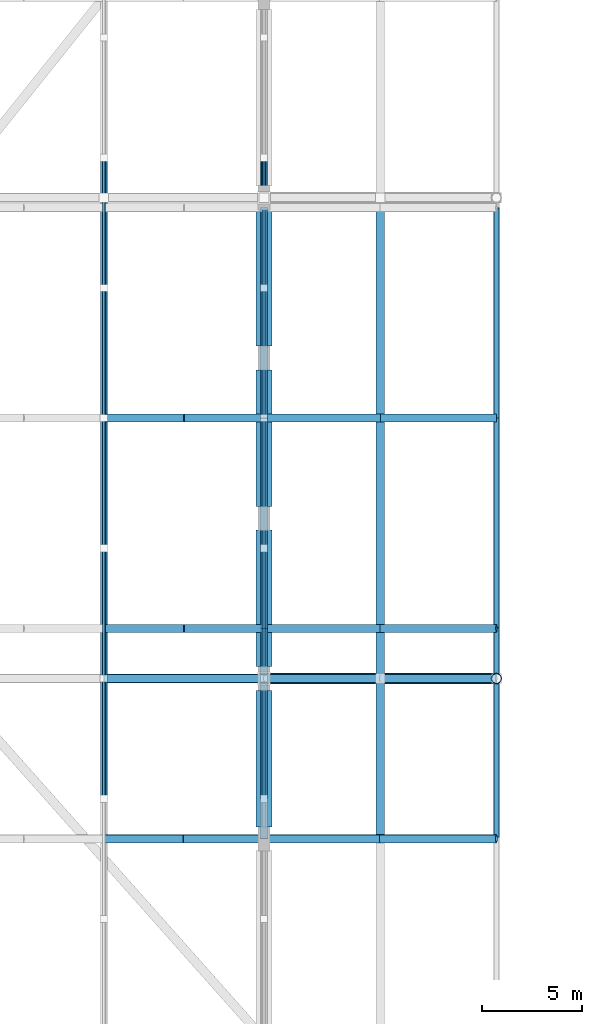
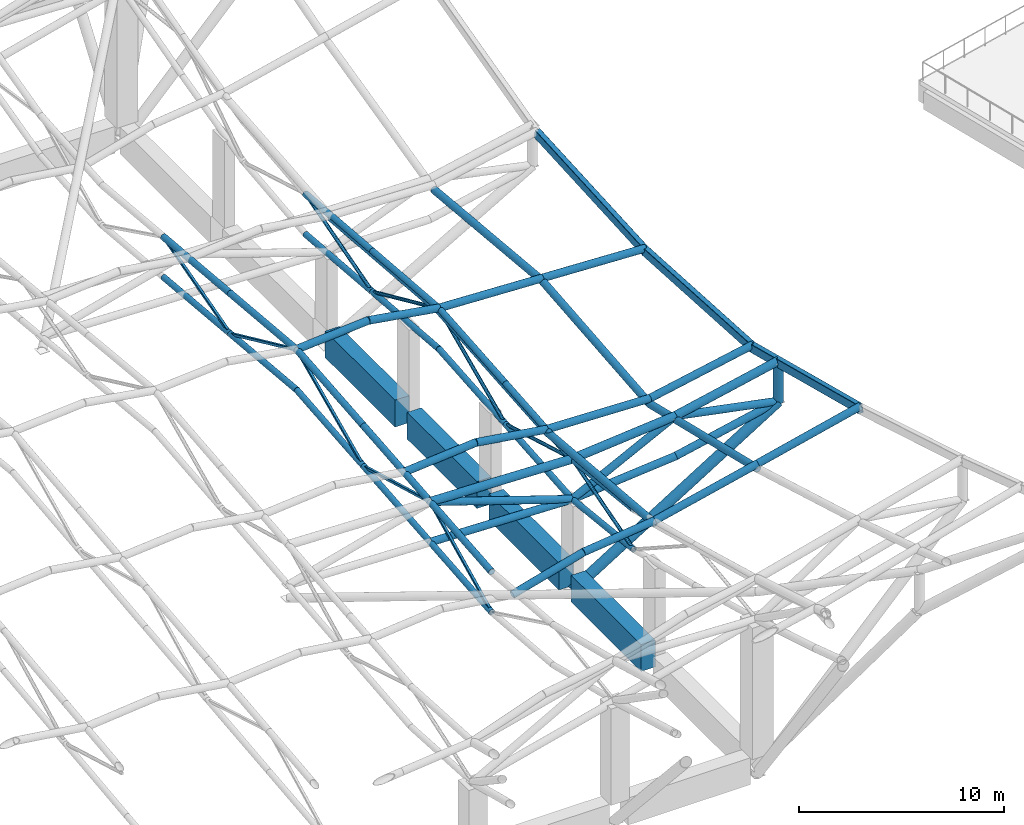
# One storey, part 25 of 75: 59 members, 7 beams.
"""IFC4 building model written with IfcOpenShell, lengths in metres."""

from ifc_helpers import new_model, si_unit, direction, frame, origin, origin_2d, place, context, subcontext, project, spatial, rectangle, hollow_rectangle, hollow_circle, extrude, material, material_profile, profile_set, type_object, element, save


model = new_model("IFC4")

# Units and contexts
model_context = context("Model", 3, precision=1e-05, world=origin(), true_north=direction((0.0, 1.0)))
body_context = subcontext(model_context, "Body", "Model", "MODEL_VIEW")
ifc_project = project(units=[si_unit("LENGTHUNIT", "METRE"), si_unit("AREAUNIT", "SQUARE_METRE"), si_unit("VOLUMEUNIT", "CUBIC_METRE"), si_unit("PLANEANGLEUNIT", "RADIAN"), si_unit("MASSUNIT", "GRAM", prefix="KILO")], contexts=[model_context])

# Site, building, storey
site_placement = place(None, origin())
site = spatial("IfcSite", under=ifc_project, at=site_placement, CompositionType="ELEMENT")
building_placement = place(site_placement, origin())
building = spatial("IfcBuilding", under=site, at=building_placement, Name="Khorjan Park Terminus", CompositionType="ELEMENT")
storey_placement = place(building_placement, frame((0.0, 0.0, 16.2)))
storey = spatial("IfcBuildingStorey", under=building, at=storey_placement, Name="L03", CompositionType="ELEMENT", Elevation=16.2)

# Members
ifc_material_1 = material(Name="Steel S355", Category="steel")
ifc_material_profile_1 = material_profile(ifc_material_1, hollow_circle(Radius=0.0969, WallThickness=0.01, at=origin_2d()), Name="CHS 193.7x10")
ifc_profile_set_1 = profile_set([ifc_material_profile_1], Name="Steel S355")
member_type_1 = type_object("IfcMemberType", Name="MB-BR-194", PredefinedType="BRACE", material=ifc_profile_set_1)
member_1_placement = place(storey_placement, frame((136.0, 38.0, 4.6833), z_axis=(0.0, 0.959849356938, 0.280515974565), x_axis=(-1.0, 0.0, 0.0)))
element("IfcMember", 1, at=member_1_placement, inside=storey, type_object=member_type_1, Name="Upper shell fold space-truss web diagonal (12)", PredefinedType="BRACE", context=body_context, shape_type="SweptSolid", body=[
    extrude(hollow_circle(Radius=0.0969, WallThickness=0.01, at=origin_2d()), origin(), (0.0, 0.0, 1.0), 6.251),
])
member_2_placement = place(storey_placement, frame((136.0, 44.0, 6.4368), z_axis=(0.0, 0.961047706575, -0.276382535062), x_axis=(-1.0, 0.0, 0.0)))
element("IfcMember", 2, at=member_2_placement, inside=storey, type_object=member_type_1, Name="Upper shell fold space-truss web diagonal (12)", PredefinedType="BRACE", context=body_context, shape_type="SweptSolid", body=[
    extrude(hollow_circle(Radius=0.0969, WallThickness=0.01, at=origin_2d()), origin(), (0.0, 0.0, 1.0), 6.7635),
])
for number, where, z_axis, x_axis, name in (
    (3, (136.0, 50.5, 4.5675), (0.0, 0.91162210268, 0.411029368665), (-1.0, 0.0, 0.0), "Upper shell fold space-truss web diagonal (12)"),
    (4, (136.0, 57.0, 7.4982), (0.0, 0.91162210268, -0.411029368665), (-1.0, 0.0, 0.0), "Upper shell fold space-truss web diagonal (12)"),
):
    element("IfcMember", number, at=place(storey_placement, frame(where, z_axis=z_axis, x_axis=x_axis)), inside=storey, type_object=member_type_1, Name=name, PredefinedType="BRACE", context=body_context, shape_type="SweptSolid", body=[
        extrude(hollow_circle(Radius=0.0969, WallThickness=0.01, at=origin_2d()), origin(), (0.0, 0.0, 1.0), 7.1301),
    ])
member_3_placement = place(storey_placement, frame((136.0, 63.5, 4.5675), z_axis=(0.0, 0.961047706575, 0.276382535062), x_axis=(-1.0, 0.0, 0.0)))
element("IfcMember", 5, at=member_3_placement, inside=storey, type_object=member_type_1, Name="Upper shell fold space-truss web diagonal (12)", PredefinedType="BRACE", context=body_context, shape_type="SweptSolid", body=[
    extrude(hollow_circle(Radius=0.0969, WallThickness=0.01, at=origin_2d()), origin(), (0.0, 0.0, 1.0), 6.7635),
])
ifc_material_profile_2 = material_profile(ifc_material_1, hollow_rectangle(XDim=0.15, YDim=0.15, WallThickness=0.01, InnerFilletRadius=0.01, OuterFilletRadius=0.02, at=origin_2d()), Name="SHS 150x150x10")
ifc_profile_set_2 = profile_set([ifc_material_profile_2], Name="Steel S355")
member_type_2 = type_object("IfcMemberType", Name="MB-BR-SHS150", PredefinedType="BRACE", material=ifc_profile_set_2)
member_4_placement = place(storey_placement, frame((128.0, 38.0, 3.7405), z_axis=(0.0, 0.898043521521, 0.439906619017), x_axis=(-1.0, 0.0, 0.0)))
element("IfcMember", 6, at=member_4_placement, inside=storey, type_object=member_type_2, Name="Upper shell fold space-truss web diagonal (11)", PredefinedType="BRACE", context=body_context, shape_type="SweptSolid", body=[
    extrude(hollow_rectangle(XDim=0.15, YDim=0.15, WallThickness=0.01, InnerFilletRadius=0.01, OuterFilletRadius=0.02, at=origin_2d()), origin(), (0.0, 0.0, 1.0), 6.6812),
])
member_5_placement = place(storey_placement, frame((128.0, 44.0, 6.6796), z_axis=(0.0, 0.96311775067, -0.269080282341), x_axis=(-1.0, 0.0, 0.0)))
element("IfcMember", 7, at=member_5_placement, inside=storey, type_object=member_type_2, Name="Upper shell fold space-truss web diagonal (11)", PredefinedType="BRACE", context=body_context, shape_type="SweptSolid", body=[
    extrude(hollow_rectangle(XDim=0.15, YDim=0.15, WallThickness=0.01, InnerFilletRadius=0.01, OuterFilletRadius=0.02, at=origin_2d()), origin(), (0.0, 0.0, 1.0), 6.7489),
])
for number, where, z_axis, x_axis, name in (
    (8, (128.0, 50.5, 4.8636), (0.0, 0.908808688461, 0.417213096364), (-1.0, 0.0, 0.0), "Upper shell fold space-truss web diagonal (11)"),
    (9, (128.0, 57.0, 7.8476), (0.0, 0.908808688461, -0.417213096364), (-1.0, 0.0, 0.0), "Upper shell fold space-truss web diagonal (11)"),
):
    element("IfcMember", number, at=place(storey_placement, frame(where, z_axis=z_axis, x_axis=x_axis)), inside=storey, type_object=member_type_2, Name=name, PredefinedType="BRACE", context=body_context, shape_type="SweptSolid", body=[
        extrude(hollow_rectangle(XDim=0.15, YDim=0.15, WallThickness=0.01, InnerFilletRadius=0.01, OuterFilletRadius=0.02, at=origin_2d()), origin(), (0.0, 0.0, 1.0), 7.1522),
    ])
member_6_placement = place(storey_placement, frame((128.0, 63.5, 4.8636), z_axis=(0.0, 0.96311775067, 0.269080282341), x_axis=(-1.0, 0.0, 0.0)))
element("IfcMember", 10, at=member_6_placement, inside=storey, type_object=member_type_2, Name="Upper shell fold space-truss web diagonal (11)", PredefinedType="BRACE", context=body_context, shape_type="SweptSolid", body=[
    extrude(hollow_rectangle(XDim=0.15, YDim=0.15, WallThickness=0.01, InnerFilletRadius=0.01, OuterFilletRadius=0.02, at=origin_2d()), origin(), (0.0, 0.0, 1.0), 6.7489),
])
ifc_material_profile_3 = material_profile(ifc_material_1, hollow_circle(Radius=0.162, WallThickness=0.0125, at=origin_2d()), Name="CHS 323.9x12.5")
ifc_profile_set_3 = profile_set([ifc_material_profile_3], Name="Steel S355")
member_type_3 = type_object("IfcMemberType", Name="MB-CH-324", PredefinedType="CHORD", material=ifc_profile_set_3)
member_7_placement = place(storey_placement, frame((128.0, 38.0, 3.7405), z_axis=(0.0, 0.995987765616, 0.089489500741), x_axis=(-1.0, 0.0, 0.0)))
element("IfcMember", 11, at=member_7_placement, inside=storey, type_object=member_type_3, Name="Upper shell fold space-truss bottom chord (11)", PredefinedType="CHORD", context=body_context, shape_type="SweptSolid", body=[
    extrude(hollow_circle(Radius=0.162, WallThickness=0.0125, at=origin_2d()), origin(), (0.0, 0.0, 1.0), 6.0242),
])
for number, where, z_axis, x_axis, name in (
    (12, (128.0, 44.0, 4.2796), (0.0, 0.995988107043, 0.089485700694), (-1.0, 0.0, 0.0), "Upper shell fold space-truss bottom chord (11)"),
    (13, (128.0, 50.5, 4.8636), (0.0, 0.995988107043, 0.089485700694), (-1.0, 0.0, 0.0), "Upper shell fold space-truss bottom chord (11)"),
    (14, (128.0, 57.0, 5.4476), (0.0, 0.995988107043, -0.089485700694), (-1.0, 0.0, 0.0), "Upper shell fold space-truss bottom chord (11)"),
    (15, (128.0, 63.5, 4.8636), (0.0, 0.995988107043, -0.089485700694), (-1.0, 0.0, 0.0), "Upper shell fold space-truss bottom chord (11)"),
):
    element("IfcMember", number, at=place(storey_placement, frame(where, z_axis=z_axis, x_axis=x_axis)), inside=storey, type_object=member_type_3, Name=name, PredefinedType="CHORD", context=body_context, shape_type="SweptSolid", body=[
        extrude(hollow_circle(Radius=0.162, WallThickness=0.0125, at=origin_2d()), origin(), (0.0, 0.0, 1.0), 6.5262),
    ])
member_8_placement = place(storey_placement, frame((136.0, 38.0, 4.6833), z_axis=(0.0, 0.994245032198, -0.107129902219), x_axis=(-1.0, 0.0, 0.0)))
element("IfcMember", 16, at=member_8_placement, inside=storey, type_object=member_type_3, Name="Upper shell fold space-truss bottom chord (12)", PredefinedType="CHORD", context=body_context, shape_type="SweptSolid", body=[
    extrude(hollow_circle(Radius=0.162, WallThickness=0.0125, at=origin_2d()), origin(), (0.0, 0.0, 1.0), 6.0347),
])
for number, where, z_axis, x_axis, name in (
    (17, (136.0, 44.0, 4.0368), (0.0, 0.996683524555, 0.081375376382), (-1.0, 0.0, 0.0), "Upper shell fold space-truss bottom chord (12)"),
    (18, (136.0, 50.5, 4.5675), (0.0, 0.996683524555, 0.081375376382), (-1.0, 0.0, 0.0), "Upper shell fold space-truss bottom chord (12)"),
    (19, (136.0, 57.0, 5.0982), (0.0, 0.996683524555, -0.081375376382), (-1.0, 0.0, 0.0), "Upper shell fold space-truss bottom chord (12)"),
    (20, (136.0, 63.5, 4.5675), (0.0, 0.996683524555, -0.081375376382), (-1.0, 0.0, 0.0), "Upper shell fold space-truss bottom chord (12)"),
):
    element("IfcMember", number, at=place(storey_placement, frame(where, z_axis=z_axis, x_axis=x_axis)), inside=storey, type_object=member_type_3, Name=name, PredefinedType="CHORD", context=body_context, shape_type="SweptSolid", body=[
        extrude(hollow_circle(Radius=0.162, WallThickness=0.0125, at=origin_2d()), origin(), (0.0, 0.0, 1.0), 6.5216),
    ])
ifc_material_profile_4 = material_profile(ifc_material_1, hollow_circle(Radius=0.1778, WallThickness=0.016, at=origin_2d()), Name="CHS 355.6x16")
ifc_profile_set_4 = profile_set([ifc_material_profile_4], Name="Steel S355")
member_type_4 = type_object("IfcMemberType", Name="MB-CH-356", PredefinedType="CHORD", material=ifc_profile_set_4)
member_9_placement = place(storey_placement, frame((128.0, 38.0, 6.1405), z_axis=(0.0, 0.995987765616, 0.089489500741), x_axis=(-1.0, 0.0, 0.0)))
element("IfcMember", 21, at=member_9_placement, inside=storey, type_object=member_type_4, Name="Upper shell fold space-truss top chord (11)", PredefinedType="CHORD", context=body_context, shape_type="SweptSolid", body=[
    extrude(hollow_circle(Radius=0.1778, WallThickness=0.016, at=origin_2d()), origin(), (0.0, 0.0, 1.0), 6.0242),
])
for number, where, z_axis, x_axis, name in (
    (22, (128.0, 44.0, 6.6796), (0.0, 0.995988107043, 0.089485700694), (-1.0, 0.0, 0.0), "Upper shell fold space-truss top chord (11)"),
    (23, (128.0, 50.5, 7.2636), (0.0, 0.995988107043, 0.089485700694), (-1.0, 0.0, 0.0), "Upper shell fold space-truss top chord (11)"),
    (24, (128.0, 57.0, 7.8476), (0.0, 0.995988107043, -0.089485700694), (-1.0, 0.0, 0.0), "Upper shell fold space-truss top chord (11)"),
    (25, (128.0, 63.5, 7.2636), (0.0, 0.995988107043, -0.089485700694), (-1.0, 0.0, 0.0), "Upper shell fold space-truss top chord (11)"),
):
    element("IfcMember", number, at=place(storey_placement, frame(where, z_axis=z_axis, x_axis=x_axis)), inside=storey, type_object=member_type_4, Name=name, PredefinedType="CHORD", context=body_context, shape_type="SweptSolid", body=[
        extrude(hollow_circle(Radius=0.1778, WallThickness=0.016, at=origin_2d()), origin(), (0.0, 0.0, 1.0), 6.5262),
    ])
member_10_placement = place(storey_placement, frame((136.0, 38.0, 7.0833), z_axis=(0.0, 0.994245032198, -0.107129902219), x_axis=(-1.0, 0.0, 0.0)))
element("IfcMember", 26, at=member_10_placement, inside=storey, type_object=member_type_4, Name="Upper shell fold space-truss top chord (12)", PredefinedType="CHORD", context=body_context, shape_type="SweptSolid", body=[
    extrude(hollow_circle(Radius=0.1778, WallThickness=0.016, at=origin_2d()), origin(), (0.0, 0.0, 1.0), 6.0347),
])
for number, where, z_axis, x_axis, name in (
    (27, (136.0, 44.0, 6.4368), (0.0, 0.996683524555, 0.081375376382), (-1.0, 0.0, 0.0), "Upper shell fold space-truss top chord (12)"),
    (28, (136.0, 50.5, 6.9675), (0.0, 0.996683524555, 0.081375376382), (-1.0, 0.0, 0.0), "Upper shell fold space-truss top chord (12)"),
    (29, (136.0, 57.0, 7.4982), (0.0, 0.996683524555, -0.081375376382), (-1.0, 0.0, 0.0), "Upper shell fold space-truss top chord (12)"),
    (30, (136.0, 63.5, 6.9675), (0.0, 0.996683524555, -0.081375376382), (-1.0, 0.0, 0.0), "Upper shell fold space-truss top chord (12)"),
):
    element("IfcMember", number, at=place(storey_placement, frame(where, z_axis=z_axis, x_axis=x_axis)), inside=storey, type_object=member_type_4, Name=name, PredefinedType="CHORD", context=body_context, shape_type="SweptSolid", body=[
        extrude(hollow_circle(Radius=0.1778, WallThickness=0.016, at=origin_2d()), origin(), (0.0, 0.0, 1.0), 6.5216),
    ])
ifc_material_profile_5 = material_profile(ifc_material_1, hollow_circle(Radius=0.2032, WallThickness=0.016, at=origin_2d()), Name="CHS 406.4x16")
ifc_profile_set_5 = profile_set([ifc_material_profile_5], Name="Steel S355")
member_type_5 = type_object("IfcMemberType", Name="MB-CH-406", PredefinedType="CHORD", material=ifc_profile_set_5)
member_11_placement = place(storey_placement, frame((128.0, 36.0, 6.0008), z_axis=(0.962669755627, 0.0, 0.270678668538), x_axis=(0.0, 1.0, 0.0)))
element("IfcMember", 31, at=member_11_placement, inside=storey, type_object=member_type_5, Name="Upper shell fold rib chord (111)", PredefinedType="CHORD", context=body_context, shape_type="SweptSolid", body=[
    extrude(hollow_circle(Radius=0.2032, WallThickness=0.016, at=origin_2d()), origin(), (0.0, 0.0, 1.0), 4.1551),
])
member_12_placement = place(storey_placement, frame((132.0, 36.0, 7.1255), z_axis=(0.992996736267, 0.0, 0.118141786697), x_axis=(0.0, 1.0, 0.0)))
element("IfcMember", 32, at=member_12_placement, inside=storey, type_object=member_type_5, Name="Upper shell fold rib chord (112)", PredefinedType="CHORD", context=body_context, shape_type="SweptSolid", body=[
    extrude(hollow_circle(Radius=0.2032, WallThickness=0.016, at=origin_2d()), origin(), (0.0, 0.0, 1.0), 4.0282),
])
member_13_placement = place(storey_placement, frame((128.0, 46.5, 6.9442), z_axis=(0.996292558823, 0.0, 0.086029862454), x_axis=(0.0, 1.0, 0.0)))
element("IfcMember", 33, at=member_13_placement, inside=storey, type_object=member_type_5, Name="Upper shell fold rib chord (137)", PredefinedType="CHORD", context=body_context, shape_type="SweptSolid", body=[
    extrude(hollow_circle(Radius=0.2032, WallThickness=0.016, at=origin_2d()), origin(), (0.0, 0.0, 1.0), 4.0149),
])
member_14_placement = place(storey_placement, frame((132.0, 46.5, 7.2896), z_axis=(0.988618677516, 0.0, -0.150443047251), x_axis=(0.0, 1.0, 0.0)))
element("IfcMember", 34, at=member_14_placement, inside=storey, type_object=member_type_5, Name="Upper shell fold rib chord (138)", PredefinedType="CHORD", context=body_context, shape_type="SweptSolid", body=[
    extrude(hollow_circle(Radius=0.2032, WallThickness=0.016, at=origin_2d()), origin(), (0.0, 0.0, 1.0), 4.046),
])
member_15_placement = place(storey_placement, frame((128.0, 57.0, 7.8876), z_axis=(0.997156385058, 0.0, 0.075360093801), x_axis=(0.0, 1.0, 0.0)))
element("IfcMember", 35, at=member_15_placement, inside=storey, type_object=member_type_5, Name="Upper shell fold rib chord (163)", PredefinedType="CHORD", context=body_context, shape_type="SweptSolid", body=[
    extrude(hollow_circle(Radius=0.2032, WallThickness=0.016, at=origin_2d()), origin(), (0.0, 0.0, 1.0), 4.0114),
])
member_16_placement = place(storey_placement, frame((132.0, 57.0, 8.1899), z_axis=(0.986986239924, 0.0, -0.16080473314), x_axis=(0.0, 1.0, 0.0)))
element("IfcMember", 36, at=member_16_placement, inside=storey, type_object=member_type_5, Name="Upper shell fold rib chord (164)", PredefinedType="CHORD", context=body_context, shape_type="SweptSolid", body=[
    extrude(hollow_circle(Radius=0.2032, WallThickness=0.016, at=origin_2d()), origin(), (0.0, 0.0, 1.0), 4.0527),
])
member_17_placement = place(storey_placement, frame((128.0, 44.0, 4.2796), z_axis=(0.999539756681, 0.0, -0.030336031615), x_axis=(0.0, 1.0, 0.0)))
element("IfcMember", 37, at=member_17_placement, inside=storey, type_object=member_type_5, Name="Upper shell longitudinal truss bottom chord (E2)", PredefinedType="CHORD", context=body_context, shape_type="SweptSolid", body=[
    extrude(hollow_circle(Radius=0.2032, WallThickness=0.016, at=origin_2d()), origin(), (0.0, 0.0, 1.0), 8.0037),
])
ifc_material_profile_6 = material_profile(ifc_material_1, hollow_circle(Radius=0.2285, WallThickness=0.016, at=origin_2d()), Name="CHS 457x16")
ifc_profile_set_6 = profile_set([ifc_material_profile_6], Name="Steel S355")
member_type_6 = type_object("IfcMemberType", Name="MB-CH-457", PredefinedType="CHORD", material=ifc_profile_set_6)
member_18_placement = place(storey_placement, frame((128.0, 44.0, 6.6796), z_axis=(0.999539756681, 0.0, -0.030336031615), x_axis=(0.0, 1.0, 0.0)))
element("IfcMember", 38, at=member_18_placement, inside=storey, type_object=member_type_6, Name="Upper shell longitudinal truss top chord (E2)", PredefinedType="CHORD", context=body_context, shape_type="SweptSolid", body=[
    extrude(hollow_circle(Radius=0.2285, WallThickness=0.016, at=origin_2d()), origin(), (0.0, 0.0, 1.0), 8.0037),
])
ifc_material_profile_7 = material_profile(ifc_material_1, hollow_circle(Radius=0.2032, WallThickness=0.016, at=origin_2d()), Name="CHS 406.4x16")
ifc_profile_set_7 = profile_set([ifc_material_profile_7], Name="Steel S355")
member_type_7 = type_object("IfcMemberType", Name="MB-CHE-406", PredefinedType="CHORD", material=ifc_profile_set_7)
member_19_placement = place(storey_placement, frame((136.0, 36.0, 7.4614), z_axis=(0.0, 0.996179286637, -0.087331717462), x_axis=(-1.0, 0.0, 0.0)))
element("IfcMember", 39, at=member_19_placement, inside=storey, type_object=member_type_7, Name="Upper shell overhang fold purlin TCE-41 (Y24)", PredefinedType="CHORD", context=body_context, shape_type="SweptSolid", body=[
    extrude(hollow_circle(Radius=0.2032, WallThickness=0.016, at=origin_2d()), origin(), (0.0, 0.0, 1.0), 10.5403),
])
for number, where, z_axis, x_axis, name in (
    (40, (136.0, 46.5, 6.5409), (0.0, 0.996683406112, 0.081376827053), (-1.0, 0.0, 0.0), "Upper shell overhang fold purlin TCE-41 (Y25)"),
    (41, (136.0, 57.0, 7.3982), (0.0, 0.996683406112, -0.081376827053), (-1.0, 0.0, 0.0), "Upper shell overhang fold purlin TCE-41 (Y26)"),
):
    element("IfcMember", number, at=place(storey_placement, frame(where, z_axis=z_axis, x_axis=x_axis)), inside=storey, type_object=member_type_7, Name=name, PredefinedType="CHORD", context=body_context, shape_type="SweptSolid", body=[
        extrude(hollow_circle(Radius=0.2032, WallThickness=0.016, at=origin_2d()), origin(), (0.0, 0.0, 1.0), 10.5349),
    ])
member_20_placement = place(storey_placement, frame((141.8, 36.0, 8.6889), z_axis=(0.0, 0.972410414812, -0.233276627988), x_axis=(-1.0, 0.0, 0.0)))
element("IfcMember", 42, at=member_20_placement, inside=storey, type_object=member_type_7, Name="Upper shell overhang fold purlin TCE-41 (Y34)", PredefinedType="CHORD", context=body_context, shape_type="SweptSolid", body=[
    extrude(hollow_circle(Radius=0.2032, WallThickness=0.016, at=origin_2d()), origin(), (0.0, 0.0, 1.0), 10.7979),
])
for number, where, z_axis, x_axis, name in (
    (43, (141.8, 46.5, 6.17), (0.0, 0.995717329661, 0.092449983303), (-1.0, 0.0, 0.0), "Upper shell overhang fold purlin TCE-41 (Y35)"),
    (44, (141.8, 57.0, 7.1449), (0.0, 0.995717329661, -0.092449983303), (-1.0, 0.0, 0.0), "Upper shell overhang fold purlin TCE-41 (Y36)"),
):
    element("IfcMember", number, at=place(storey_placement, frame(where, z_axis=z_axis, x_axis=x_axis)), inside=storey, type_object=member_type_7, Name=name, PredefinedType="CHORD", context=body_context, shape_type="SweptSolid", body=[
        extrude(hollow_circle(Radius=0.2032, WallThickness=0.016, at=origin_2d()), origin(), (0.0, 0.0, 1.0), 10.5452),
    ])
member_21_placement = place(storey_placement, frame((136.0, 36.0, 7.6014), z_axis=(0.973499651722, 0.0, 0.228688495771), x_axis=(0.0, 1.0, 0.0)))
element("IfcMember", 45, at=member_21_placement, inside=storey, type_object=member_type_7, Name="Upper shell fold rib chord (113)", PredefinedType="CHORD", context=body_context, shape_type="SweptSolid", body=[
    extrude(hollow_circle(Radius=0.2032, WallThickness=0.016, at=origin_2d()), origin(), (0.0, 0.0, 1.0), 5.9579),
])
member_22_placement = place(storey_placement, frame((141.8, 36.0, 8.9639), z_axis=(0.972269251704, 0.0, 0.233864281561), x_axis=(0.0, 1.0, 0.0)))
element("IfcMember", 46, at=member_22_placement, inside=storey, type_object=member_type_7, Name="Upper shell fold rib chord (114)", PredefinedType="CHORD", context=body_context, shape_type="SweptSolid", body=[
    extrude(hollow_circle(Radius=0.2032, WallThickness=0.016, at=origin_2d()), origin(), (0.0, 0.0, 1.0), 5.9654),
])
member_23_placement = place(storey_placement, frame((136.0, 46.5, 6.6809), z_axis=(0.999458780806, 0.0, -0.032895979527), x_axis=(0.0, 1.0, 0.0)))
element("IfcMember", 47, at=member_23_placement, inside=storey, type_object=member_type_7, Name="Upper shell fold rib chord (139)", PredefinedType="CHORD", context=body_context, shape_type="SweptSolid", body=[
    extrude(hollow_circle(Radius=0.2032, WallThickness=0.016, at=origin_2d()), origin(), (0.0, 0.0, 1.0), 5.8031),
])
member_24_placement = place(storey_placement, frame((141.8, 46.5, 6.49), z_axis=(0.980684589092, 0.0, 0.195595850459), x_axis=(0.0, 1.0, 0.0)))
element("IfcMember", 48, at=member_24_placement, inside=storey, type_object=member_type_7, Name="Upper shell fold rib chord (140)", PredefinedType="CHORD", context=body_context, shape_type="SweptSolid", body=[
    extrude(hollow_circle(Radius=0.2032, WallThickness=0.016, at=origin_2d()), origin(), (0.0, 0.0, 1.0), 5.9142),
])
for number, where, z_axis, x_axis, name in (
    (49, (136.0, 57.0, 7.5382), (0.999047722116, 0.0, -0.043630825519), (0.0, 1.0, 0.0), "Upper shell fold rib chord (165)"),
    (50, (141.8, 57.0, 7.2849), (0.999047722116, 0.0, -0.043630825519), (0.0, 1.0, 0.0), "Upper shell fold rib chord (166)"),
):
    element("IfcMember", number, at=place(storey_placement, frame(where, z_axis=z_axis, x_axis=x_axis)), inside=storey, type_object=member_type_7, Name=name, PredefinedType="CHORD", context=body_context, shape_type="SweptSolid", body=[
        extrude(hollow_circle(Radius=0.2032, WallThickness=0.016, at=origin_2d()), origin(), (0.0, 0.0, 1.0), 5.8055),
    ])
member_25_placement = place(storey_placement, frame((136.0, 44.0, 4.0368), z_axis=(0.995911342542, 0.0, 0.090336027123), x_axis=(0.0, 1.0, 0.0)))
element("IfcMember", 51, at=member_25_placement, inside=storey, type_object=member_type_7, Name="Upper shell longitudinal truss bottom chord (E2)", PredefinedType="CHORD", context=body_context, shape_type="SweptSolid", body=[
    extrude(hollow_circle(Radius=0.2032, WallThickness=0.016, at=origin_2d()), origin(), (0.0, 0.0, 1.0), 5.8238),
])
member_26_placement = place(storey_placement, frame((141.8, 44.0, 4.5629), z_axis=(0.97749951711, 0.0, 0.210937654416), x_axis=(0.0, 1.0, 0.0)))
element("IfcMember", 52, at=member_26_placement, inside=storey, type_object=member_type_7, Name="Upper shell longitudinal truss bottom chord (E2)", PredefinedType="CHORD", context=body_context, shape_type="SweptSolid", body=[
    extrude(hollow_circle(Radius=0.2032, WallThickness=0.016, at=origin_2d()), origin(), (0.0, 0.0, 1.0), 5.9335),
])
ifc_material_profile_8 = material_profile(ifc_material_1, hollow_circle(Radius=0.2285, WallThickness=0.016, at=origin_2d()), Name="CHS 457x16")
ifc_profile_set_8 = profile_set([ifc_material_profile_8], Name="Steel S355")
member_type_8 = type_object("IfcMemberType", Name="MB-CHE-457", PredefinedType="CHORD", material=ifc_profile_set_8)
member_27_placement = place(storey_placement, frame((136.0, 44.0, 6.4368), z_axis=(0.995911342542, 0.0, 0.090336027123), x_axis=(0.0, 1.0, 0.0)))
element("IfcMember", 53, at=member_27_placement, inside=storey, type_object=member_type_8, Name="Upper shell longitudinal truss top chord (E2)", PredefinedType="CHORD", context=body_context, shape_type="SweptSolid", body=[
    extrude(hollow_circle(Radius=0.2285, WallThickness=0.016, at=origin_2d()), origin(), (0.0, 0.0, 1.0), 5.8238),
])
member_28_placement = place(storey_placement, frame((141.8, 44.0, 6.9629), z_axis=(0.97749951711, 0.0, 0.210937654416), x_axis=(0.0, 1.0, 0.0)))
element("IfcMember", 54, at=member_28_placement, inside=storey, type_object=member_type_8, Name="Upper shell longitudinal truss top chord (E2)", PredefinedType="CHORD", context=body_context, shape_type="SweptSolid", body=[
    extrude(hollow_circle(Radius=0.2285, WallThickness=0.016, at=origin_2d()), origin(), (0.0, 0.0, 1.0), 5.9335),
])
ifc_material_profile_9 = material_profile(ifc_material_1, hollow_circle(Radius=0.2032, WallThickness=0.016, at=origin_2d()), Name="CHS 406.4x16")
ifc_profile_set_9 = profile_set([ifc_material_profile_9], Name="Steel S355")
member_type_9 = type_object("IfcMemberType", Name="MB-ST-406", PredefinedType="STRUT", material=ifc_profile_set_9)
member_29_placement = place(storey_placement, frame((128.0, 44.0, 6.6796), z_axis=(0.949529701387, 0.0, -0.313677136853), x_axis=(0.0, 1.0, 0.0)))
element("IfcMember", 55, at=member_29_placement, inside=storey, type_object=member_type_9, Name="Upper shell longitudinal truss diagonal (E2)", PredefinedType="STRUT", context=body_context, shape_type="SweptSolid", body=[
    extrude(hollow_circle(Radius=0.2032, WallThickness=0.016, at=origin_2d()), origin(), (0.0, 0.0, 1.0), 8.4252),
])
ifc_material_profile_10 = material_profile(ifc_material_1, hollow_circle(Radius=0.2795, WallThickness=0.02, at=origin_2d()), Name="CHS 559x20")
ifc_profile_set_10 = profile_set([ifc_material_profile_10], Name="Steel S355")
member_type_10 = type_object("IfcMemberType", Name="MB-ST-CHS559", PredefinedType="STRUT", material=ifc_profile_set_10)
member_30_placement = place(storey_placement, frame((136.0, 44.0, -1.4), z_axis=(0.849164215823, 0.0, 0.528128899574), x_axis=(0.0, 1.0, 0.0)))
element("IfcMember", 56, at=member_30_placement, inside=storey, type_object=member_type_10, Name="Upper shell raked longitudinal V-strut STE-56 (E2)", PredefinedType="STRUT", context=body_context, shape_type="SweptSolid", body=[
    extrude(hollow_circle(Radius=0.2795, WallThickness=0.02, at=origin_2d()), origin(), (0.0, 0.0, 1.0), 13.6605),
])
ifc_material_profile_11 = material_profile(ifc_material_1, hollow_circle(Radius=0.2032, WallThickness=0.016, at=origin_2d()), Name="CHS 406.4x16")
ifc_profile_set_11 = profile_set([ifc_material_profile_11], Name="Steel S355")
member_type_11 = type_object("IfcMemberType", Name="MB-STE-406", PredefinedType="STRUT", material=ifc_profile_set_11)
member_31_placement = place(storey_placement, frame((136.0, 44.0, 4.0368), z_axis=(0.892814350146, 0.0, 0.450424839649), x_axis=(0.0, 1.0, 0.0)))
element("IfcMember", 57, at=member_31_placement, inside=storey, type_object=member_type_11, Name="Upper shell longitudinal truss diagonal (E2)", PredefinedType="STRUT", context=body_context, shape_type="SweptSolid", body=[
    extrude(hollow_circle(Radius=0.2032, WallThickness=0.016, at=origin_2d()), origin(), (0.0, 0.0, 1.0), 6.4963),
])
member_32_placement = place(storey_placement, frame((141.8, 44.0, 6.9629), z_axis=(0.980956151924, 0.0, -0.194229318081), x_axis=(0.0, 1.0, 0.0)))
element("IfcMember", 58, at=member_32_placement, inside=storey, type_object=member_type_11, Name="Upper shell longitudinal truss diagonal (E2)", PredefinedType="STRUT", context=body_context, shape_type="SweptSolid", body=[
    extrude(hollow_circle(Radius=0.2032, WallThickness=0.016, at=origin_2d()), origin(), (0.0, 0.0, 1.0), 5.9126),
])
ifc_material_profile_12 = material_profile(ifc_material_1, hollow_circle(Radius=0.254, WallThickness=0.02, at=origin_2d()), Name="CHS 508x20")
ifc_profile_set_12 = profile_set([ifc_material_profile_12], Name="Steel S355")
member_type_12 = type_object("IfcMemberType", Name="MB-STE-508", PredefinedType="STRUT", material=ifc_profile_set_12)
member_33_placement = place(storey_placement, frame((147.6, 44.0, 5.8145), z_axis=(0.0, 0.0, 1.0), x_axis=(1.0, 0.0, 0.0)))
element("IfcMember", 59, at=member_33_placement, inside=storey, type_object=member_type_12, Name="Upper shell longitudinal tip post (E2)", PredefinedType="STRUT", context=body_context, shape_type="SweptSolid", body=[
    extrude(hollow_circle(Radius=0.254, WallThickness=0.02, at=origin_2d()), origin(), (0.0, 0.0, 1.0), 2.4),
])

# Beams
ifc_material_2 = material(Name="Concrete C50/60", Category="concrete")
ifc_material_profile_13 = material_profile(ifc_material_2, rectangle(XDim=0.8, YDim=1.6, at=origin_2d()), Name="RC 800x1600")
ifc_profile_set_13 = profile_set([ifc_material_profile_13], Name="Concrete C50/60")
beam_type_1 = type_object("IfcBeamType", Name="SP-RC800x1600", PredefinedType="SPANDREL", material=ifc_profile_set_13)
for number, where, z_axis, x_axis, name in (
    (60, (136.0, 36.594, -0.8), (0.0, 1.0, 0.0), (-1.0, 0.0, 0.0), "Concourse colonnade ring beam SP-16 (26)"),
    (61, (136.0, 44.594, -0.8), (0.0, 1.0, 0.0), (-1.0, 0.0, 0.0), "Concourse colonnade ring beam SP-16 (28)"),
    (62, (136.0, 52.594, -0.8), (0.0, 1.0, 0.0), (-1.0, 0.0, 0.0), "Concourse colonnade ring beam SP-16 (30)"),
    (63, (136.0, 60.594, -0.8), (0.0, 1.0, 0.0), (-1.0, 0.0, 0.0), "Concourse colonnade ring beam SP-16 (32)"),
):
    element("IfcBeam", number, at=place(storey_placement, frame(where, z_axis=z_axis, x_axis=x_axis)), inside=storey, type_object=beam_type_1, Name=name, PredefinedType="SPANDREL", context=body_context, shape_type="SweptSolid", body=[
        extrude(rectangle(XDim=0.8, YDim=1.6, at=origin_2d()), origin(), (0.0, 0.0, 1.0), 6.812),
    ])
ifc_material_profile_14 = material_profile(ifc_material_1, hollow_rectangle(XDim=0.3, YDim=0.5, WallThickness=0.016, InnerFilletRadius=0.016, OuterFilletRadius=0.032, at=origin_2d()), Name="RHS 500x300x16")
ifc_profile_set_14 = profile_set([ifc_material_profile_14], Name="Steel S355")
beam_type_2 = type_object("IfcBeamType", Name="SP-RHS500", PredefinedType="SPANDREL", material=ifc_profile_set_14)
beam_placement = place(storey_placement, frame((147.6, 36.0, 10.219), z_axis=(0.0, 0.968221018632, -0.250096099689), x_axis=(-1.0, 0.0, 0.0)))
element("IfcBeam", 64, at=beam_placement, inside=storey, type_object=beam_type_2, Name="Upper folded shell upturned perimeter edge beam SP-R50 (66)", PredefinedType="SPANDREL", context=body_context, shape_type="SweptSolid", body=[
    extrude(hollow_rectangle(XDim=0.3, YDim=0.5, WallThickness=0.016, InnerFilletRadius=0.016, OuterFilletRadius=0.032, at=origin_2d()), origin(), (0.0, 0.0, 1.0), 10.8446),
])
for number, where, z_axis, x_axis, name in (
    (65, (147.6, 46.5, 7.5068), (0.0, 0.998287984602, -0.058490168393), (-1.0, 0.0, 0.0), "Upper folded shell upturned perimeter edge beam SP-R50 (67)"),
    (66, (147.6, 57.0, 6.8916), (0.0, 0.998287984602, 0.058490168393), (-1.0, 0.0, 0.0), "Upper folded shell upturned perimeter edge beam SP-R50 (68)"),
):
    element("IfcBeam", number, at=place(storey_placement, frame(where, z_axis=z_axis, x_axis=x_axis)), inside=storey, type_object=beam_type_2, Name=name, PredefinedType="SPANDREL", context=body_context, shape_type="SweptSolid", body=[
        extrude(hollow_rectangle(XDim=0.3, YDim=0.5, WallThickness=0.016, InnerFilletRadius=0.016, OuterFilletRadius=0.032, at=origin_2d()), origin(), (0.0, 0.0, 1.0), 10.518),
    ])

save(model, "model.ifc")
